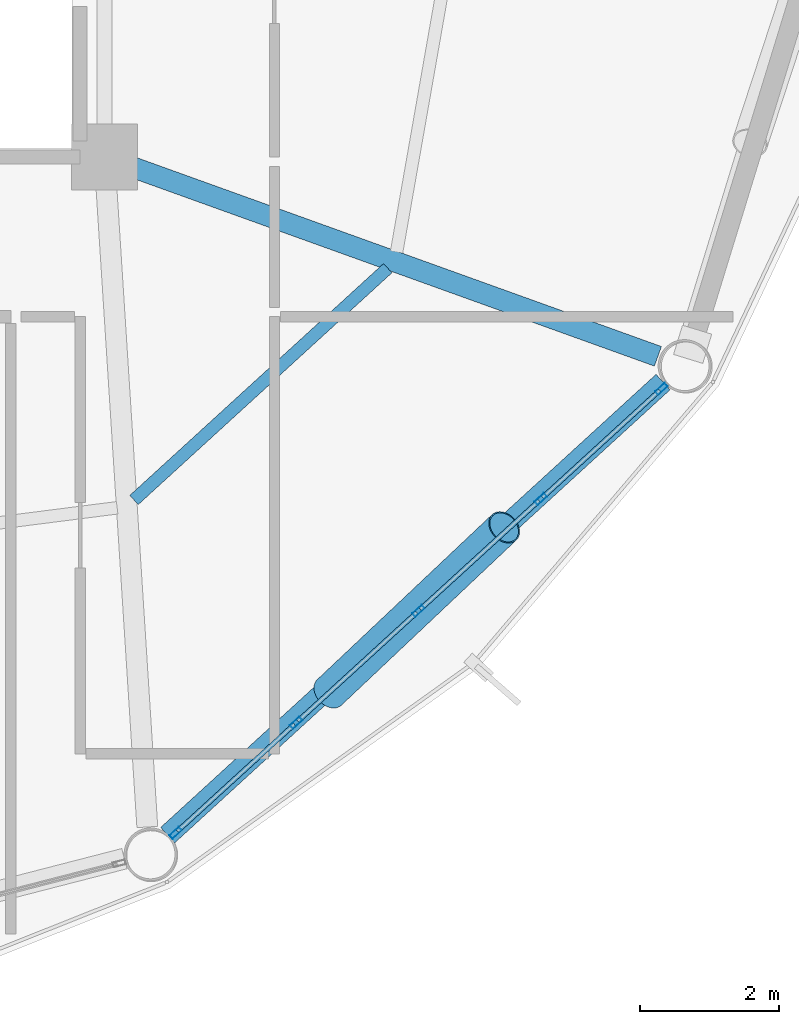
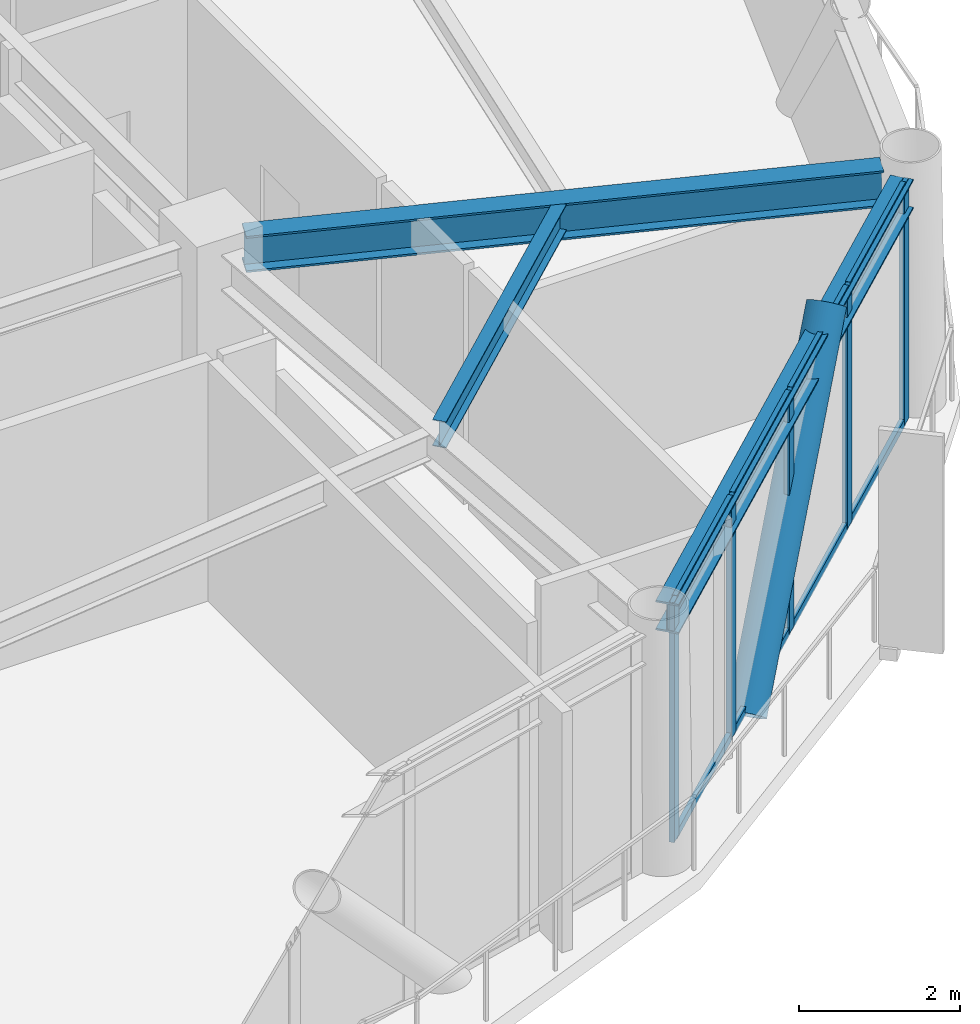
# One storey, part 12 of 25: 14 members, 3 beams, 1 element without a shape of its own.
"""IFC4 building model written with IfcOpenShell, lengths in metres."""

from ifc_helpers import new_model, si_unit, direction, frame, origin, origin_2d, place, context, subcontext, project, spatial, hollow_rectangle, hollow_circle, i_section, extrude, material, layer, layer_set, material_profile, profile_set, type_object, element, aggregate, save


model = new_model("IFC4")

# Units and contexts
model_context = context("Model", 3, precision=1e-05, world=origin(), true_north=direction((0.0, 1.0)))
body_context = subcontext(model_context, "Body", "Model", "MODEL_VIEW")
ifc_project = project(units=[si_unit("LENGTHUNIT", "METRE"), si_unit("AREAUNIT", "SQUARE_METRE"), si_unit("VOLUMEUNIT", "CUBIC_METRE"), si_unit("PLANEANGLEUNIT", "RADIAN"), si_unit("MASSUNIT", "GRAM", prefix="KILO")], contexts=[model_context])

# Site, building, storey
site_placement = place(None, origin())
site = spatial("IfcSite", under=ifc_project, at=site_placement, CompositionType="ELEMENT")
building_placement = place(site_placement, origin())
building = spatial("IfcBuilding", under=site, at=building_placement, Name="Varnakorn Sky Granary", CompositionType="ELEMENT")
storey_placement = place(building_placement, frame((0.0, 0.0, 126.60009765625)))
storey = spatial("IfcBuildingStorey", under=building, at=storey_placement, Name="L31", CompositionType="ELEMENT", Elevation=126.60009765625)

# Beams
ifc_material_1 = material(Name="Steel S355JR", Category="steel")
ifc_material_profile_1 = material_profile(ifc_material_1, i_section(OverallWidth=0.300048828125, OverallDepth=0.550048828125, WebThickness=0.014892578125, FlangeThickness=0.029052734375, at=origin_2d()), Name="HE 550 B")
ifc_profile_set_1 = profile_set([ifc_material_profile_1], Name="Steel S355JR")
beam_type_1 = type_object("IfcBeamType", Name="BM-RAD-Z3", PredefinedType="BEAM", material=ifc_profile_set_1)
beam_1_placement = place(storey_placement, frame((8.7451171875, -6.7421875, 3.364990234375), z_axis=(0.940888184373, -0.33871732242, 0.0), x_axis=(0.33871732242, 0.940888184373, 0.0)))
element("IfcBeam", 1, at=beam_1_placement, inside=storey, type_object=beam_type_1, Name="Radial Floor Girder RG12 L31", PredefinedType="BEAM", context=body_context, shape_type="SweptSolid", body=[
    extrude(i_section(OverallWidth=0.300048828125, OverallDepth=0.550048828125, WebThickness=0.014892578125, FlangeThickness=0.029052734375, at=origin_2d()), origin(), (0.0, 0.0, 1.0), 8.0576171875),
])
ifc_material_profile_2 = material_profile(ifc_material_1, i_section(OverallWidth=0.179931640625, OverallDepth=0.39990234375, WebThickness=0.008544921875, FlangeThickness=0.013427734375, at=origin_2d()), Name="IPE 400")
ifc_profile_set_2 = profile_set([ifc_material_profile_2], Name="Steel S355JR")
beam_type_2 = type_object("IfcBeamType", Name="BM-SEC-Z3", PredefinedType="BEAM", material=ifc_profile_set_2)
beam_2_placement = place(storey_placement, frame((8.775634765625, -11.54248046875, 3.43994140625), z_axis=(0.73827631713, 0.674498391076, 0.0), x_axis=(-0.674498391076, 0.73827631713, 0.0)))
element("IfcBeam", 2, at=beam_2_placement, inside=storey, type_object=beam_type_2, Name="Secondary Floor Chord Beam MSB11 L31", PredefinedType="BEAM", context=body_context, shape_type="SweptSolid", body=[
    extrude(i_section(OverallWidth=0.179931640625, OverallDepth=0.39990234375, WebThickness=0.008544921875, FlangeThickness=0.013427734375, at=origin_2d()), origin(), (0.0, 0.0, 1.0), 4.953369140625),
])
ifc_material_profile_3 = material_profile(ifc_material_1, i_section(OverallWidth=0.300048828125, OverallDepth=0.449951171875, WebThickness=0.013916015625, FlangeThickness=0.02587890625, at=origin_2d()), Name="HE 450 B")
ifc_profile_set_3 = profile_set([ifc_material_profile_3], Name="Steel S355JR")
beam_type_3 = type_object("IfcBeamType", Name="BM-SPD-Z3", PredefinedType="SPANDREL", material=ifc_profile_set_3)
beam_3_placement = place(storey_placement, frame((9.260986328125, -16.372802734375, 3.414794921875), z_axis=(0.737906735451, 0.674902696524, 0.0), x_axis=(-0.674902696524, 0.737906735451, 0.0)))
element("IfcBeam", 3, at=beam_3_placement, inside=storey, type_object=beam_type_3, Name="Perimeter Spandrel Ring Beam RB11 L31", PredefinedType="SPANDREL", context=body_context, shape_type="SweptSolid", body=[
    extrude(i_section(OverallWidth=0.300048828125, OverallDepth=0.449951171875, WebThickness=0.013916015625, FlangeThickness=0.02587890625, at=origin_2d()), origin(), (0.0, 0.0, 1.0), 9.67578125),
])

# Curtain wall, members
ifc_material_2 = material(Name="Anodised Bronze Aluminium Alloy 6063-T6", Category="aluminium")
ifc_layer = layer(ifc_material_2, 0.179931640625, Name="Anodised Bronze Aluminium Alloy 6063-T6")
ifc_layer_set = layer_set([ifc_layer], Name="Anodised Bronze Aluminium Alloy 6063-T6")
curtain_wall_type = type_object("IfcCurtainWallType", Name="CW-FRM-2", PredefinedType="USERDEFINED", material=ifc_layer_set)
curtain_wall_placement = place(storey_placement, origin())
curtain_wall = element("IfcCurtainWall", 4, at=curtain_wall_placement, inside=storey, type_object=curtain_wall_type, Name="Unitised Curtain Wall CW4 CW-L31-B11", ObjectType="CURTAIN WALL", PredefinedType="USERDEFINED")
ifc_material_profile_4 = material_profile(ifc_material_2, hollow_rectangle(XDim=0.070068359375, YDim=0.18505859375, WallThickness=0.00390625, at=origin_2d()), Name="ALU MULL 70x185")
ifc_profile_set_4 = profile_set([ifc_material_profile_4], Name="Anodised Bronze Aluminium Alloy 6063-T6")
member_type_1 = type_object("IfcMemberType", Name="CW-FRM-2-MULL", PredefinedType="MULLION", material=ifc_profile_set_4)
member_1_placement = place(storey_placement, frame((16.376708984375, -9.940673828125, 0.0), z_axis=(0.0, 0.0, 1.0), x_axis=(0.674680923597, -0.738109511749, 0.0)))
member_1 = element("IfcMember", 5, at=member_1_placement, type_object=member_type_1, Name="CW4 mullion 1", PredefinedType="MULLION", context=body_context, shape_type="SweptSolid", body=[
    extrude(hollow_rectangle(XDim=0.070068359375, YDim=0.18505859375, WallThickness=0.00390625, at=origin_2d()), origin(), (0.0, 0.0, 1.0), 3.639892578125),
])
member_2_placement = place(storey_placement, frame((14.639404296875, -11.52880859375, 0.0), z_axis=(0.0, 0.0, 1.0), x_axis=(0.674680923597, -0.738109511749, 0.0)))
member_2 = element("IfcMember", 6, at=member_2_placement, type_object=member_type_1, Name="CW4 mullion 2", PredefinedType="MULLION", context=body_context, shape_type="SweptSolid", body=[
    extrude(hollow_rectangle(XDim=0.070068359375, YDim=0.18505859375, WallThickness=0.00390625, at=origin_2d()), origin(), (0.0, 0.0, 1.0), 3.639892578125),
])
member_3_placement = place(storey_placement, frame((12.8759765625, -13.140380859375, 0.0), z_axis=(0.0, 0.0, 1.0), x_axis=(0.674680923597, -0.738109511749, 0.0)))
member_3 = element("IfcMember", 7, at=member_3_placement, type_object=member_type_1, Name="CW4 mullion 3", PredefinedType="MULLION", context=body_context, shape_type="SweptSolid", body=[
    extrude(hollow_rectangle(XDim=0.070068359375, YDim=0.18505859375, WallThickness=0.00390625, at=origin_2d()), origin(), (0.0, 0.0, 1.0), 3.639892578125),
])
member_4_placement = place(storey_placement, frame((11.11279296875, -14.752197265625, 0.0), z_axis=(0.0, 0.0, 1.0), x_axis=(0.674680923597, -0.738109511749, 0.0)))
member_4 = element("IfcMember", 8, at=member_4_placement, type_object=member_type_1, Name="CW4 mullion 4", PredefinedType="MULLION", context=body_context, shape_type="SweptSolid", body=[
    extrude(hollow_rectangle(XDim=0.070068359375, YDim=0.18505859375, WallThickness=0.00390625, at=origin_2d()), origin(), (0.0, 0.0, 1.0), 3.639892578125),
])
member_5_placement = place(storey_placement, frame((9.375244140625, -16.34033203125, 0.0), z_axis=(0.0, 0.0, 1.0), x_axis=(0.674680923597, -0.738109511749, 0.0)))
member_5 = element("IfcMember", 9, at=member_5_placement, type_object=member_type_1, Name="CW4 mullion 5", PredefinedType="MULLION", context=body_context, shape_type="SweptSolid", body=[
    extrude(hollow_rectangle(XDim=0.070068359375, YDim=0.18505859375, WallThickness=0.00390625, at=origin_2d()), origin(), (0.0, 0.0, 1.0), 3.639892578125),
])
ifc_material_profile_5 = material_profile(ifc_material_2, hollow_rectangle(XDim=0.06494140625, YDim=0.1201171875, WallThickness=0.00341796875, at=origin_2d()), Name="ALU TRAN 65x120")
ifc_profile_set_5 = profile_set([ifc_material_profile_5], Name="Anodised Bronze Aluminium Alloy 6063-T6")
member_type_2 = type_object("IfcMemberType", Name="CW-FRM-2-TRAN", PredefinedType="USERDEFINED", material=ifc_profile_set_5)
member_6_placement = place(storey_placement, frame((16.350830078125, -9.964111328125, 0.032470703125), z_axis=(-0.738089645744, -0.674702656616, 0.0), x_axis=(0.674702656616, -0.738089645744, 0.0)))
member_6 = element("IfcMember", 10, at=member_6_placement, type_object=member_type_2, Name="CW4 transom 1.1", ObjectType="TRANSOM", PredefinedType="USERDEFINED", context=body_context, shape_type="SweptSolid", body=[
    extrude(hollow_rectangle(XDim=0.06494140625, YDim=0.1201171875, WallThickness=0.00341796875, at=origin_2d()), origin(), (0.0, 0.0, 1.0), 2.283935546875),
])
member_7_placement = place(storey_placement, frame((16.350830078125, -9.964111328125, 3.607421875), z_axis=(-0.738089645744, -0.674702656616, 0.0), x_axis=(0.674702656616, -0.738089645744, 0.0)))
member_7 = element("IfcMember", 11, at=member_7_placement, type_object=member_type_2, Name="CW4 transom 1.2", ObjectType="TRANSOM", PredefinedType="USERDEFINED", context=body_context, shape_type="SweptSolid", body=[
    extrude(hollow_rectangle(XDim=0.06494140625, YDim=0.1201171875, WallThickness=0.00341796875, at=origin_2d()), origin(), (0.0, 0.0, 1.0), 2.283935546875),
])
member_8_placement = place(storey_placement, frame((14.613525390625, -11.55224609375, 0.032470703125), z_axis=(-0.73808423228, -0.674708578617, 0.0), x_axis=(0.674708578617, -0.73808423228, 0.0)))
member_8 = element("IfcMember", 12, at=member_8_placement, type_object=member_type_2, Name="CW4 transom 2.1", ObjectType="TRANSOM", PredefinedType="USERDEFINED", context=body_context, shape_type="SweptSolid", body=[
    extrude(hollow_rectangle(XDim=0.06494140625, YDim=0.1201171875, WallThickness=0.00341796875, at=origin_2d()), origin(), (0.0, 0.0, 1.0), 2.319091796875),
])
member_9_placement = place(storey_placement, frame((14.613525390625, -11.55224609375, 3.607421875), z_axis=(-0.73808423228, -0.674708578617, 0.0), x_axis=(0.674708578617, -0.73808423228, 0.0)))
member_9 = element("IfcMember", 13, at=member_9_placement, type_object=member_type_2, Name="CW4 transom 2.2", ObjectType="TRANSOM", PredefinedType="USERDEFINED", context=body_context, shape_type="SweptSolid", body=[
    extrude(hollow_rectangle(XDim=0.06494140625, YDim=0.1201171875, WallThickness=0.00341796875, at=origin_2d()), origin(), (0.0, 0.0, 1.0), 2.319091796875),
])
member_10_placement = place(storey_placement, frame((12.85009765625, -13.1640625, 0.032470703125), z_axis=(-0.73808873451, -0.674703653458, 0.0), x_axis=(0.674703653458, -0.73808873451, 0.0)))
member_10 = element("IfcMember", 14, at=member_10_placement, type_object=member_type_2, Name="CW4 transom 3.1", ObjectType="TRANSOM", PredefinedType="USERDEFINED", context=body_context, shape_type="SweptSolid", body=[
    extrude(hollow_rectangle(XDim=0.06494140625, YDim=0.1201171875, WallThickness=0.00341796875, at=origin_2d()), origin(), (0.0, 0.0, 1.0), 2.31884765625),
])
member_11_placement = place(storey_placement, frame((12.85009765625, -13.1640625, 3.607421875), z_axis=(-0.73808873451, -0.674703653458, 0.0), x_axis=(0.674703653458, -0.73808873451, 0.0)))
member_11 = element("IfcMember", 15, at=member_11_placement, type_object=member_type_2, Name="CW4 transom 3.2", ObjectType="TRANSOM", PredefinedType="USERDEFINED", context=body_context, shape_type="SweptSolid", body=[
    extrude(hollow_rectangle(XDim=0.06494140625, YDim=0.1201171875, WallThickness=0.00341796875, at=origin_2d()), origin(), (0.0, 0.0, 1.0), 2.31884765625),
])
member_12_placement = place(storey_placement, frame((11.0869140625, -14.77587890625, 0.032470703125), z_axis=(-0.738142878572, -0.674644418055, 0.0), x_axis=(0.674644418055, -0.738142878572, 0.0)))
member_12 = element("IfcMember", 16, at=member_12_placement, type_object=member_type_2, Name="CW4 transom 4.1", ObjectType="TRANSOM", PredefinedType="USERDEFINED", context=body_context, shape_type="SweptSolid", body=[
    extrude(hollow_rectangle(XDim=0.06494140625, YDim=0.1201171875, WallThickness=0.00341796875, at=origin_2d()), origin(), (0.0, 0.0, 1.0), 2.283935546875),
])
member_13_placement = place(storey_placement, frame((11.0869140625, -14.77587890625, 3.607421875), z_axis=(-0.738142878572, -0.674644418055, 0.0), x_axis=(0.674644418055, -0.738142878572, 0.0)))
member_13 = element("IfcMember", 17, at=member_13_placement, type_object=member_type_2, Name="CW4 transom 4.2", ObjectType="TRANSOM", PredefinedType="USERDEFINED", context=body_context, shape_type="SweptSolid", body=[
    extrude(hollow_rectangle(XDim=0.06494140625, YDim=0.1201171875, WallThickness=0.00341796875, at=origin_2d()), origin(), (0.0, 0.0, 1.0), 2.283935546875),
])
aggregate(curtain_wall, [member_1, member_2, member_3, member_4, member_5, member_6, member_7, member_8, member_9, member_10, member_11, member_12, member_13])

# Member
ifc_material_3 = material(Name="Steel S460M", Category="steel")
ifc_material_profile_6 = material_profile(ifc_material_3, hollow_circle(Radius=0.25390625, WallThickness=0.01806640625, at=origin_2d()), Name="CHS 508x18")
ifc_profile_set_6 = profile_set([ifc_material_profile_6], Name="Steel S460M")
member_type_3 = type_object("IfcMemberType", Name="MB-DIAG-T2", PredefinedType="BRACE", material=ifc_profile_set_6)
member_14_placement = place(storey_placement, frame((11.592041015625, -14.314208984375, -0.130126953125), z_axis=(0.481532824977, 0.454462064243, 0.749393335061), x_axis=(-0.68636889604, 0.727253558636, 0.0)))
element("IfcMember", 18, at=member_14_placement, inside=storey, type_object=member_type_3, Name="Perimeter CHS Diagrid Brace DG11 L31", PredefinedType="BRACE", context=body_context, shape_type="SweptSolid", body=[
    extrude(hollow_circle(Radius=0.25390625, WallThickness=0.01806640625, at=origin_2d()), origin(), (0.0, 0.0, 1.0), 5.230712890625),
])

save(model, "model.ifc")
